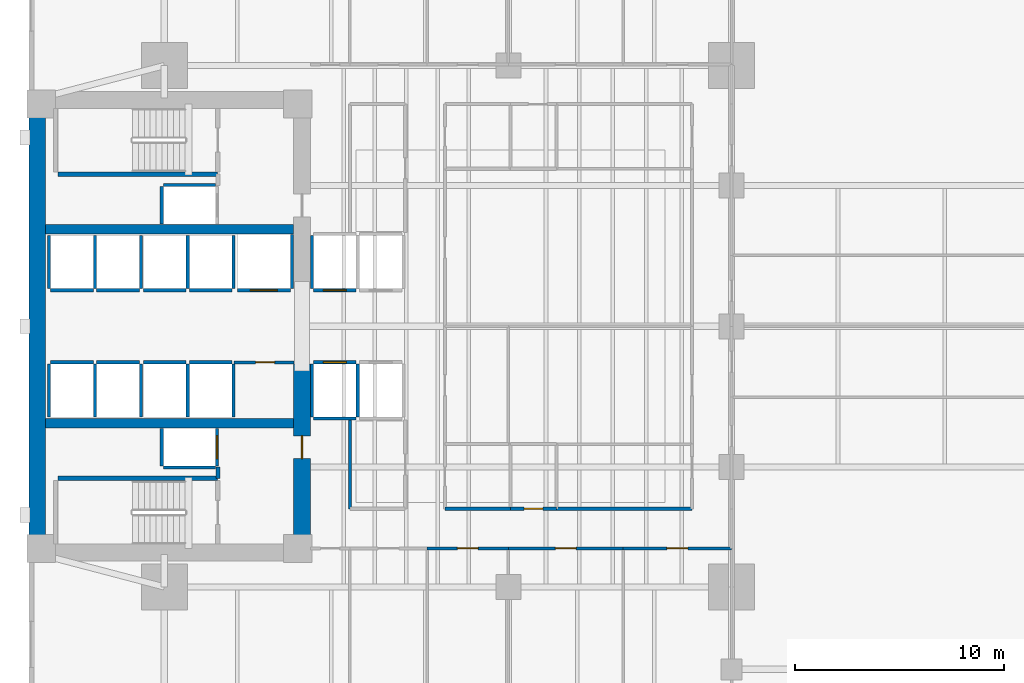
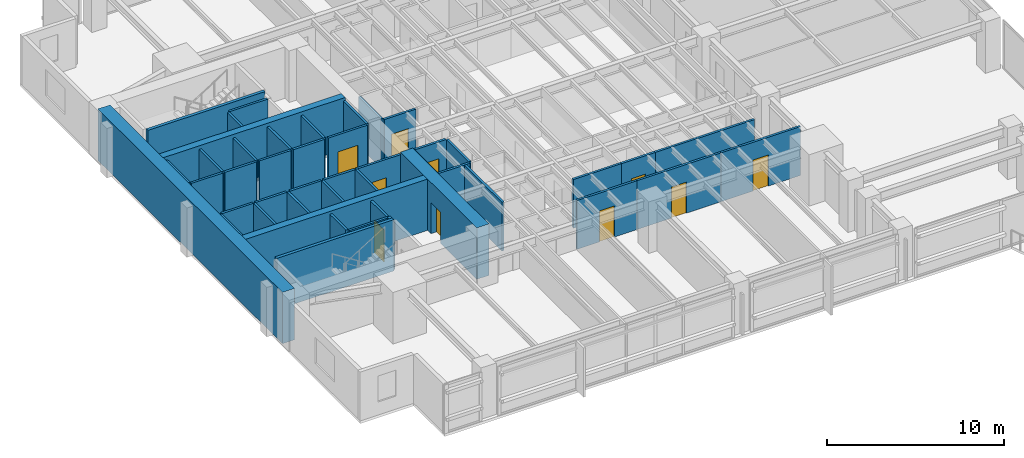
# One storey, part 8 of 15: 46 walls, 10 doors, 10 openings.
"""IFC4 building model written with IfcOpenShell, lengths in metres."""

from ifc_helpers import new_model, si_unit, direction, frame, frame_2d, origin, place, context, subcontext, project, spatial, rectangle, extrude, material, layer, layer_set, type_object, element, fill, save


model = new_model("IFC4")

# Units and contexts
model_context = context("Model", 3, precision=1e-05, world=origin(), true_north=direction((0.0, 1.0)))
body_context = subcontext(model_context, "Body", "Model", "MODEL_VIEW")
ifc_project = project(units=[si_unit("LENGTHUNIT", "METRE"), si_unit("AREAUNIT", "SQUARE_METRE"), si_unit("VOLUMEUNIT", "CUBIC_METRE"), si_unit("PLANEANGLEUNIT", "RADIAN"), si_unit("MASSUNIT", "GRAM", prefix="KILO")], contexts=[model_context])

# Site, building, storey
site_placement = place(None, origin())
site = spatial("IfcSite", under=ifc_project, at=site_placement, CompositionType="ELEMENT")
building_placement = place(site_placement, origin())
building = spatial("IfcBuilding", under=site, at=building_placement, Name="Kinhvarn Gate Tower", CompositionType="ELEMENT")
storey_placement = place(building_placement, frame((0.0, 0.0, 64.64990234375)))
storey = spatial("IfcBuildingStorey", under=building, at=storey_placement, Name="L16", CompositionType="ELEMENT", Elevation=64.64990234375)

# Walls
ifc_material_1 = material(Name="Concrete C50/60", Category="concrete")
ifc_layer_1 = layer(ifc_material_1, 0.449951171875)
ifc_layer_set_1 = layer_set([ifc_layer_1], Name="Concrete C50/60")
wall_type_1 = type_object("IfcWallType", Name="WL-CORE-450", PredefinedType="SHEAR", material=ifc_layer_set_1)
for number, where, z_axis, x_axis, name in (
    (1, (5.300048828125, 20.60009765625, 0.0), (0.0, 0.0, 1.0), (1.0, 0.0, 0.0), "Core South Spine Shear Wall L16 450 mm"),
    (2, (5.300048828125, 29.89990234375, 0.0), (0.0, 0.0, 1.0), (1.0, 0.0, 0.0), "Core North Spine Shear Wall L16 450 mm"),
):
    element("IfcWall", number, at=place(storey_placement, frame(where, z_axis=z_axis, x_axis=x_axis)), inside=storey, type_object=wall_type_1, Name=name, PredefinedType="SHEAR", context=body_context, shape_type="SweptSolid", body=[
        extrude(rectangle(XDim=11.89990234375, YDim=0.449951171875, at=frame_2d((5.949951171875, 0.0))), origin(), (0.0, 0.0, 1.0), 3.550048828125),
    ])

# Wall, opening, door
ifc_material_2 = material(Name="Concrete C70/85", Category="concrete")
ifc_layer_2 = layer(ifc_material_2, 0.800048828125)
ifc_layer_set_2 = layer_set([ifc_layer_2], Name="Concrete C70/85")
wall_type_2 = type_object("IfcWallType", Name="WL-CORE-800", PredefinedType="SHEAR", material=ifc_layer_set_2)
wall_1_placement = place(storey_placement, frame((17.60009765625, 14.800048828125, 0.0), z_axis=(0.0, 0.0, 1.0), x_axis=(0.0, 1.0, 0.0)))
wall_1 = element("IfcWall", 3, at=wall_1_placement, inside=storey, type_object=wall_type_2, Name="Core East-South Shear Pier L16 800 mm", PredefinedType="SHEAR", context=body_context, shape_type="SweptSolid", body=[
    extrude(rectangle(XDim=8.64990234375, YDim=0.800048828125, at=frame_2d((4.324951171875, 0.0))), origin(), (0.0, 0.0, 1.0), 3.550048828125),
])
opening_1_placement = place(wall_1_placement, frame((4.10009765625, 0.0, 0.0)))
opening_1 = element("IfcOpeningElement", 4, at=opening_1_placement, cuts=wall_1, Name="Opening FD-02", PredefinedType="OPENING", context=body_context, shape_type="SweptSolid", body=[
    extrude(rectangle(XDim=1.10009765625, YDim=2.14990234375, at=frame_2d((0.550048828125, 1.074951171875))), frame((0.0, 0.41015625, 0.0), z_axis=(0.0, -1.0, 0.0), x_axis=(1.0, 0.0, 0.0)), (0.0, 0.0, 1.0), 0.820068359375),
])
ifc_material_3 = material(Name="Anodised aluminium AW-6063", Category="aluminium")
door_type_1 = type_object("IfcDoorType", Name="DR-FD-1100", OperationType="NOTDEFINED", PredefinedType="DOOR", material=ifc_material_3)
door_1_placement = place(opening_1_placement, origin())
door_1 = element("IfcDoor", 5, at=door_1_placement, inside=storey, type_object=door_type_1, Name="Firefighting Lobby Core Door (L16)", OperationType="SINGLE_SWING_RIGHT", OverallHeight=2.14990234375, OverallWidth=1.10009765625, PredefinedType="DOOR", context=body_context, shape_type="SweptSolid", body=[
    extrude(rectangle(XDim=1.10009765625, YDim=2.14990234375, at=frame_2d((0.550048828125, 1.074951171875))), frame((0.0, 0.02490234375, 0.0), z_axis=(0.0, -1.0, 0.0), x_axis=(1.0, 0.0, 0.0)), (0.0, 0.0, 1.0), 0.050048828125),
])
fill(opening_1, door_1)

# Walls
ifc_layer_3 = layer(ifc_material_2, 0.800048828125)
ifc_layer_set_3 = layer_set([ifc_layer_3], Name="Concrete C70/85")
wall_type_3 = type_object("IfcWallType", Name="WL-COREX-800", PredefinedType="SHEAR", material=ifc_layer_set_3)
wall_2_placement = place(storey_placement, frame((4.89990234375, 14.800048828125, 0.0), z_axis=(0.0, 0.0, 1.0), x_axis=(0.0, 1.0, 0.0)))
element("IfcWall", 6, at=wall_2_placement, inside=storey, type_object=wall_type_3, Name="Core West Shear Wall L16 800 mm", PredefinedType="SHEAR", context=body_context, shape_type="SweptSolid", body=[
    extrude(rectangle(XDim=20.89990234375, YDim=0.800048828125, at=frame_2d((10.449951171875, 0.0))), origin(), (0.0, 0.0, 1.0), 3.550048828125),
])
ifc_material_4 = material(Name="Gypsum acoustic partition board")
ifc_layer_4 = layer(ifc_material_4, 0.14990234375)
ifc_layer_set_4 = layer_set([ifc_layer_4], Name="Gypsum acoustic partition board")
wall_type_4 = type_object("IfcWallType", Name="WL-PLM-150F", PredefinedType="PLUMBINGWALL", material=ifc_layer_set_4)
wall_3_placement = place(storey_placement, frame((24.449951171875, 16.5, 0.0), z_axis=(0.0, 0.0, 1.0), x_axis=(1.0, 0.0, 0.0)))
element("IfcWall", 7, at=wall_3_placement, inside=storey, type_object=wall_type_4, Name="Interior Partition PLW-150F (L16)", PredefinedType="PLUMBINGWALL", context=body_context, shape_type="SweptSolid", body=[
    extrude(rectangle(XDim=3.150146484375, YDim=0.14990234375, at=frame_2d((1.5751953125, 0.0))), origin(), (0.0, 0.0, 1.0), 3.3701171875),
])

# Wall, opening, door
wall_4_placement = place(storey_placement, frame((27.60009765625, 16.5, 0.0), z_axis=(0.0, 0.0, 1.0), x_axis=(1.0, 0.0, 0.0)))
wall_4 = element("IfcWall", 8, at=wall_4_placement, inside=storey, type_object=wall_type_4, Name="Interior Partition PLW-150F (L16)", PredefinedType="PLUMBINGWALL", context=body_context, shape_type="SweptSolid", body=[
    extrude(rectangle(XDim=2.199951171875, YDim=0.14990234375, at=frame_2d((1.10009765625, 0.0))), origin(), (0.0, 0.0, 1.0), 3.3701171875),
])
opening_2_placement = place(wall_4_placement, frame((0.64990234375, 0.0, 0.0)))
opening_2 = element("IfcOpeningElement", 9, at=opening_2_placement, cuts=wall_4, Name="Opening FD-04", PredefinedType="OPENING", context=body_context, shape_type="SweptSolid", body=[
    extrude(rectangle(XDim=0.89990234375, YDim=2.10009765625, at=frame_2d((0.449951171875, 1.050048828125))), frame((0.0, 0.0849609375, 0.0), z_axis=(0.0, -1.0, 0.0), x_axis=(1.0, 0.0, 0.0)), (0.0, 0.0, 1.0), 0.169921875),
])
door_type_2 = type_object("IfcDoorType", Name="DR-FD-900", OperationType="NOTDEFINED", PredefinedType="DOOR", material=ifc_material_3)
door_2_placement = place(opening_2_placement, origin())
door_2 = element("IfcDoor", 10, at=door_2_placement, inside=storey, type_object=door_type_2, Name="Rated Riser & Service Closet Fire Door 900x2100 mm (L16)", OperationType="SINGLE_SWING_LEFT", OverallHeight=2.10009765625, OverallWidth=0.89990234375, PredefinedType="DOOR", context=body_context, shape_type="SweptSolid", body=[
    extrude(rectangle(XDim=0.89990234375, YDim=2.10009765625, at=frame_2d((0.449951171875, 1.050048828125))), frame((0.0, 0.02490234375, 0.0), z_axis=(0.0, -1.0, 0.0), x_axis=(1.0, 0.0, 0.0)), (0.0, 0.0, 1.0), 0.050048828125),
])
fill(opening_2, door_2)

ifc_layer_5 = layer(ifc_material_4, 0.14990234375)
ifc_layer_set_5 = layer_set([ifc_layer_5], Name="Gypsum acoustic partition board")
wall_type_5 = type_object("IfcWallType", Name="WL-PRT-150F", PredefinedType="PARTITIONING", material=ifc_layer_set_5)
wall_5_placement = place(storey_placement, frame((14.330078125, 23.52001953125, 0.0), z_axis=(0.0, 0.0, 1.0), x_axis=(1.0, 0.0, 0.0)))
wall_5 = element("IfcWall", 11, at=wall_5_placement, inside=storey, type_object=wall_type_5, Name="Interior Partition PW-150F (L16)", PredefinedType="PARTITIONING", context=body_context, shape_type="SweptSolid", body=[
    extrude(rectangle(XDim=2.889892578125, YDim=0.14990234375, at=frame_2d((1.44482421875, 0.0))), origin(), (0.0, 0.0, 1.0), 3.3701171875),
])
opening_3_placement = place(wall_5_placement, frame((1.052734375, 0.0, 0.0)))
opening_3 = element("IfcOpeningElement", 12, at=opening_3_placement, cuts=wall_5, Name="Opening FD-04", PredefinedType="OPENING", context=body_context, shape_type="SweptSolid", body=[
    extrude(rectangle(XDim=0.89990234375, YDim=2.10009765625, at=frame_2d((0.449951171875, 1.050048828125))), frame((0.0, 0.0849609375, 0.0), z_axis=(0.0, -1.0, 0.0), x_axis=(1.0, 0.0, 0.0)), (0.0, 0.0, 1.0), 0.169921875),
])
door_3_placement = place(opening_3_placement, origin())
door_3 = element("IfcDoor", 13, at=door_3_placement, inside=storey, type_object=door_type_2, Name="Rated Riser & Service Closet Fire Door 900x2100 mm (L16)", OperationType="SINGLE_SWING_RIGHT", OverallHeight=2.10009765625, OverallWidth=0.89990234375, PredefinedType="DOOR", context=body_context, shape_type="SweptSolid", body=[
    extrude(rectangle(XDim=0.89990234375, YDim=2.10009765625, at=frame_2d((0.449951171875, 1.050048828125))), frame((0.0, 0.02490234375, 0.0), z_axis=(0.0, -1.0, 0.0), x_axis=(1.0, 0.0, 0.0)), (0.0, 0.0, 1.0), 0.050048828125),
])
fill(opening_3, door_3)

# Walls
wall_6_placement = place(storey_placement, frame((19.89990234375, 16.5, 0.0), z_axis=(0.0, 0.0, 1.0), x_axis=(0.0, 1.0, 0.0)))
element("IfcWall", 14, at=wall_6_placement, inside=storey, type_object=wall_type_5, Name="Interior Partition PW-150F (L16)", PredefinedType="PARTITIONING", context=body_context, shape_type="SweptSolid", body=[
    extrude(rectangle(XDim=4.25, YDim=0.14990234375, at=frame_2d((2.125, 0.0))), origin(), (0.0, 0.0, 1.0), 3.3701171875),
])
wall_7_placement = place(storey_placement, frame((29.800048828125, 16.5, 0.0), z_axis=(0.0, 0.0, 1.0), x_axis=(1.0, 0.0, 0.0)))
element("IfcWall", 15, at=wall_7_placement, inside=storey, type_object=wall_type_5, Name="Interior Partition PW-150F (L16)", PredefinedType="PARTITIONING", context=body_context, shape_type="SweptSolid", body=[
    extrude(rectangle(XDim=6.5, YDim=0.14990234375, at=frame_2d((3.25, 0.0))), origin(), (0.0, 0.0, 1.0), 3.3701171875),
])

# Wall, opening, door
wall_8_placement = place(storey_placement, frame((23.60009765625, 14.60009765625, 0.0), z_axis=(0.0, 0.0, 1.0), x_axis=(1.0, 0.0, 0.0)))
wall_8 = element("IfcWall", 16, at=wall_8_placement, inside=storey, type_object=wall_type_5, Name="Interior Partition PW-150F (L16)", PredefinedType="PARTITIONING", context=body_context, shape_type="SweptSolid", body=[
    extrude(rectangle(XDim=3.89990234375, YDim=0.14990234375, at=frame_2d((1.949951171875, 0.0))), origin(), (0.0, 0.0, 1.0), 3.3701171875),
])
opening_4_placement = place(wall_8_placement, frame((1.449951171875, 0.0, 0.0)))
opening_4 = element("IfcOpeningElement", 17, at=opening_4_placement, cuts=wall_8, Name="Opening ID-02", PredefinedType="OPENING", context=body_context, shape_type="SweptSolid", body=[
    extrude(rectangle(XDim=1.0, YDim=2.14990234375, at=frame_2d((0.5, 1.074951171875))), frame((0.0, 0.0849609375, 0.0), z_axis=(0.0, -1.0, 0.0), x_axis=(1.0, 0.0, 0.0)), (0.0, 0.0, 1.0), 0.169921875),
])
door_type_3 = type_object("IfcDoorType", Name="DR-INT-1000", OperationType="NOTDEFINED", PredefinedType="DOOR", material=ifc_material_3)
door_4_placement = place(opening_4_placement, origin())
door_4 = element("IfcDoor", 18, at=door_4_placement, inside=storey, type_object=door_type_3, Name="Standard Office & Meeting Room Door 1000x2150 mm (L16)", OperationType="SINGLE_SWING_RIGHT", OverallHeight=2.14990234375, OverallWidth=1.0, PredefinedType="DOOR", context=body_context, shape_type="SweptSolid", body=[
    extrude(rectangle(XDim=1.0, YDim=2.14990234375, at=frame_2d((0.5, 1.074951171875))), frame((0.0, 0.02490234375, 0.0), z_axis=(0.0, -1.0, 0.0), x_axis=(1.0, 0.0, 0.0)), (0.0, 0.0, 1.0), 0.050048828125),
])
fill(opening_4, door_4)

wall_9_placement = place(storey_placement, frame((27.5, 14.60009765625, 0.0), z_axis=(0.0, 0.0, 1.0), x_axis=(1.0, 0.0, 0.0)))
wall_9 = element("IfcWall", 19, at=wall_9_placement, inside=storey, type_object=wall_type_5, Name="Interior Partition PW-150F (L16)", PredefinedType="PARTITIONING", context=body_context, shape_type="SweptSolid", body=[
    extrude(rectangle(XDim=5.5, YDim=0.14990234375, at=frame_2d((2.75, 0.0))), origin(), (0.0, 0.0, 1.0), 3.3701171875),
])
opening_5_placement = place(wall_9_placement, frame((2.25, 0.0, 0.0)))
opening_5 = element("IfcOpeningElement", 20, at=opening_5_placement, cuts=wall_9, Name="Opening ID-02", PredefinedType="OPENING", context=body_context, shape_type="SweptSolid", body=[
    extrude(rectangle(XDim=1.0, YDim=2.14990234375, at=frame_2d((0.5, 1.074951171875))), frame((0.0, 0.0849609375, 0.0), z_axis=(0.0, -1.0, 0.0), x_axis=(1.0, 0.0, 0.0)), (0.0, 0.0, 1.0), 0.169921875),
])
door_5_placement = place(opening_5_placement, origin())
door_5 = element("IfcDoor", 21, at=door_5_placement, inside=storey, type_object=door_type_3, Name="Standard Office & Meeting Room Door 1000x2150 mm (L16)", OperationType="SINGLE_SWING_LEFT", OverallHeight=2.14990234375, OverallWidth=1.0, PredefinedType="DOOR", context=body_context, shape_type="SweptSolid", body=[
    extrude(rectangle(XDim=1.0, YDim=2.14990234375, at=frame_2d((0.5, 1.074951171875))), frame((0.0, 0.02490234375, 0.0), z_axis=(0.0, -1.0, 0.0), x_axis=(1.0, 0.0, 0.0)), (0.0, 0.0, 1.0), 0.050048828125),
])
fill(opening_5, door_5)

wall_10_placement = place(storey_placement, frame((33.0, 14.60009765625, 0.0), z_axis=(0.0, 0.0, 1.0), x_axis=(1.0, 0.0, 0.0)))
wall_10 = element("IfcWall", 22, at=wall_10_placement, inside=storey, type_object=wall_type_5, Name="Interior Partition PW-150F (L16)", PredefinedType="PARTITIONING", context=body_context, shape_type="SweptSolid", body=[
    extrude(rectangle(XDim=5.199951171875, YDim=0.14990234375, at=frame_2d((2.60009765625, 0.0))), origin(), (0.0, 0.0, 1.0), 3.3701171875),
])
opening_6_placement = place(wall_10_placement, frame((2.10009765625, 0.0, 0.0)))
opening_6 = element("IfcOpeningElement", 23, at=opening_6_placement, cuts=wall_10, Name="Opening ID-02", PredefinedType="OPENING", context=body_context, shape_type="SweptSolid", body=[
    extrude(rectangle(XDim=1.0, YDim=2.14990234375, at=frame_2d((0.5, 1.074951171875))), frame((0.0, 0.0849609375, 0.0), z_axis=(0.0, -1.0, 0.0), x_axis=(1.0, 0.0, 0.0)), (0.0, 0.0, 1.0), 0.169921875),
])
door_6_placement = place(opening_6_placement, origin())
door_6 = element("IfcDoor", 24, at=door_6_placement, inside=storey, type_object=door_type_3, Name="Standard Office & Meeting Room Door 1000x2150 mm (L16)", OperationType="SINGLE_SWING_RIGHT", OverallHeight=2.14990234375, OverallWidth=1.0, PredefinedType="DOOR", context=body_context, shape_type="SweptSolid", body=[
    extrude(rectangle(XDim=1.0, YDim=2.14990234375, at=frame_2d((0.5, 1.074951171875))), frame((0.0, 0.02490234375, 0.0), z_axis=(0.0, -1.0, 0.0), x_axis=(1.0, 0.0, 0.0)), (0.0, 0.0, 1.0), 0.050048828125),
])
fill(opening_6, door_6)

# Walls
ifc_layer_6 = layer(ifc_material_4, 0.199951171875)
ifc_layer_set_6 = layer_set([ifc_layer_6], Name="Gypsum acoustic partition board")
wall_type_6 = type_object("IfcWallType", Name="WL-PRT-200", PredefinedType="PARTITIONING", material=ifc_layer_set_6)
wall_11_placement = place(storey_placement, frame((13.580078125, 17.9599609375, 0.0), z_axis=(0.0, 0.0, 1.0), x_axis=(0.0, 1.0, 0.0)))
element("IfcWall", 25, at=wall_11_placement, inside=storey, type_object=wall_type_6, Name="Interior Partition PW-200 (L16)", PredefinedType="PARTITIONING", context=body_context, shape_type="SweptSolid", body=[
    extrude(rectangle(XDim=0.5400390625, YDim=0.199951171875, at=frame_2d((0.27001953125, 0.0))), origin(), (0.0, 0.0, 1.0), 3.3701171875),
])
ifc_layer_7 = layer(ifc_material_4, 0.14990234375)
ifc_layer_set_7 = layer_set([ifc_layer_7], Name="Gypsum acoustic partition board")
wall_type_7 = type_object("IfcWallType", Name="WL-SHF-150", PredefinedType="PARTITIONING", material=ifc_layer_set_7)
wall_12_placement = place(storey_placement, frame((18.14990234375, 20.824951171875, 0.0), z_axis=(0.0, 0.0, 1.0), x_axis=(1.0, 0.0, 0.0)))
element("IfcWall", 26, at=wall_12_placement, inside=storey, type_object=wall_type_7, Name="Elevator PL-01 Hoistway Wall S (L16)", PredefinedType="PARTITIONING", context=body_context, shape_type="SweptSolid", body=[
    extrude(rectangle(XDim=2.050048828125, YDim=0.14990234375, at=frame_2d((1.02490234375, 0.0))), origin(), (0.0, 0.0, 1.0), 3.3701171875),
])

# Wall, opening, door
wall_13_placement = place(storey_placement, frame((18.14990234375, 23.52490234375, 0.0), z_axis=(0.0, 0.0, 1.0), x_axis=(1.0, 0.0, 0.0)))
wall_13 = element("IfcWall", 27, at=wall_13_placement, inside=storey, type_object=wall_type_7, Name="Elevator PL-01 Landing Wall (L16)", PredefinedType="PARTITIONING", context=body_context, shape_type="SweptSolid", body=[
    extrude(rectangle(XDim=2.050048828125, YDim=0.14990234375, at=frame_2d((1.02490234375, 0.0))), origin(), (0.0, 0.0, 1.0), 3.3701171875),
])
opening_7_placement = place(wall_13_placement, frame((0.47509765625, 0.0, 0.0)))
opening_7 = element("IfcOpeningElement", 28, at=opening_7_placement, cuts=wall_13, Name="Opening LD-01", PredefinedType="OPENING", context=body_context, shape_type="SweptSolid", body=[
    extrude(rectangle(XDim=1.10009765625, YDim=2.199951171875, at=frame_2d((0.550048828125, 1.10009765625))), frame((0.0, 0.0849609375, 0.0), z_axis=(0.0, -1.0, 0.0), x_axis=(1.0, 0.0, 0.0)), (0.0, 0.0, 1.0), 0.169921875),
])
door_type_4 = type_object("IfcDoorType", Name="DR-LND-PAS", OperationType="NOTDEFINED", PredefinedType="DOOR", material=ifc_material_3)
door_7_placement = place(opening_7_placement, origin())
door_7 = element("IfcDoor", 29, at=door_7_placement, inside=storey, type_object=door_type_4, Name="Elevator PL-01 Sliding Landing Door (L16)", OperationType="DOUBLE_DOOR_SLIDING", OverallHeight=2.199951171875, OverallWidth=1.10009765625, PredefinedType="DOOR", context=body_context, shape_type="SweptSolid", body=[
    extrude(rectangle(XDim=1.10009765625, YDim=2.199951171875, at=frame_2d((0.550048828125, 1.10009765625))), frame((0.0, 0.02490234375, 0.0), z_axis=(0.0, -1.0, 0.0), x_axis=(1.0, 0.0, 0.0)), (0.0, 0.0, 1.0), 0.050048828125),
])
fill(opening_7, door_7)

# Walls
for number, where, z_axis, x_axis, name in (
    (30, (18.074951171875, 20.89990234375, 0.0), (0.0, 0.0, 1.0), (0.0, 1.0, 0.0), "Elevator PL-01 Hoistway Wall W (L16)"),
    (31, (20.27490234375, 20.89990234375, 0.0), (0.0, 0.0, 1.0), (0.0, 1.0, 0.0), "Elevator PL-01 Hoistway Wall E (L16)"),
):
    element("IfcWall", number, at=place(storey_placement, frame(where, z_axis=z_axis, x_axis=x_axis)), inside=storey, type_object=wall_type_7, Name=name, PredefinedType="PARTITIONING", context=body_context, shape_type="SweptSolid", body=[
        extrude(rectangle(XDim=2.550048828125, YDim=0.14990234375, at=frame_2d((1.27490234375, 0.0))), origin(), (0.0, 0.0, 1.0), 3.3701171875),
    ])

# Wall, opening, door
wall_14_placement = place(storey_placement, frame((18.14990234375, 26.97509765625, 0.0), z_axis=(0.0, 0.0, 1.0), x_axis=(1.0, 0.0, 0.0)))
wall_14 = element("IfcWall", 32, at=wall_14_placement, inside=storey, type_object=wall_type_7, Name="Elevator PL-03 Landing Wall (L16)", PredefinedType="PARTITIONING", context=body_context, shape_type="SweptSolid", body=[
    extrude(rectangle(XDim=2.050048828125, YDim=0.14990234375, at=frame_2d((1.02490234375, 0.0))), origin(), (0.0, 0.0, 1.0), 3.3701171875),
])
opening_8_placement = place(wall_14_placement, frame((0.47509765625, 0.0, 0.0)))
opening_8 = element("IfcOpeningElement", 33, at=opening_8_placement, cuts=wall_14, Name="Opening LD-01", PredefinedType="OPENING", context=body_context, shape_type="SweptSolid", body=[
    extrude(rectangle(XDim=1.10009765625, YDim=2.199951171875, at=frame_2d((0.550048828125, 1.10009765625))), frame((0.0, 0.0849609375, 0.0), z_axis=(0.0, -1.0, 0.0), x_axis=(1.0, 0.0, 0.0)), (0.0, 0.0, 1.0), 0.169921875),
])
door_8_placement = place(opening_8_placement, origin())
door_8 = element("IfcDoor", 34, at=door_8_placement, inside=storey, type_object=door_type_4, Name="Elevator PL-03 Sliding Landing Door (L16)", OperationType="DOUBLE_DOOR_SLIDING", OverallHeight=2.199951171875, OverallWidth=1.10009765625, PredefinedType="DOOR", context=body_context, shape_type="SweptSolid", body=[
    extrude(rectangle(XDim=1.10009765625, YDim=2.199951171875, at=frame_2d((0.550048828125, 1.10009765625))), frame((0.0, 0.02490234375, 0.0), z_axis=(0.0, -1.0, 0.0), x_axis=(1.0, 0.0, 0.0)), (0.0, 0.0, 1.0), 0.050048828125),
])
fill(opening_8, door_8)

# Walls
wall_15_placement = place(storey_placement, frame((18.074951171875, 27.050048828125, 0.0), z_axis=(0.0, 0.0, 1.0), x_axis=(0.0, 1.0, 0.0)))
element("IfcWall", 35, at=wall_15_placement, inside=storey, type_object=wall_type_7, Name="Elevator PL-03 Hoistway Wall W (L16)", PredefinedType="PARTITIONING", context=body_context, shape_type="SweptSolid", body=[
    extrude(rectangle(XDim=2.550048828125, YDim=0.14990234375, at=frame_2d((1.27490234375, 0.0))), origin(), (0.0, 0.0, 1.0), 3.3701171875),
])
wall_16_placement = place(storey_placement, frame((5.550048828125, 23.52490234375, 0.0), z_axis=(0.0, 0.0, 1.0), x_axis=(1.0, 0.0, 0.0)))
element("IfcWall", 36, at=wall_16_placement, inside=storey, type_object=wall_type_7, Name="Elevator PM-05 Landing Wall (L16)", PredefinedType="PARTITIONING", context=body_context, shape_type="SweptSolid", body=[
    extrude(rectangle(XDim=2.050048828125, YDim=0.14990234375, at=frame_2d((1.02490234375, 0.0))), origin(), (0.0, 0.0, 1.0), 3.3701171875),
])
for number, where, z_axis, x_axis, name in (
    (37, (5.47509765625, 20.89990234375, 0.0), (0.0, 0.0, 1.0), (0.0, 1.0, 0.0), "Elevator PM-05 Hoistway Wall W (L16)"),
    (38, (7.675048828125, 20.89990234375, 0.0), (0.0, 0.0, 1.0), (0.0, 1.0, 0.0), "Elevator PM-05 Hoistway Wall E (L16)"),
):
    element("IfcWall", number, at=place(storey_placement, frame(where, z_axis=z_axis, x_axis=x_axis)), inside=storey, type_object=wall_type_7, Name=name, PredefinedType="PARTITIONING", context=body_context, shape_type="SweptSolid", body=[
        extrude(rectangle(XDim=2.550048828125, YDim=0.14990234375, at=frame_2d((1.27490234375, 0.0))), origin(), (0.0, 0.0, 1.0), 3.3701171875),
    ])
wall_17_placement = place(storey_placement, frame((7.75, 23.52490234375, 0.0), z_axis=(0.0, 0.0, 1.0), x_axis=(1.0, 0.0, 0.0)))
element("IfcWall", 39, at=wall_17_placement, inside=storey, type_object=wall_type_7, Name="Elevator PM-06 Landing Wall (L16)", PredefinedType="PARTITIONING", context=body_context, shape_type="SweptSolid", body=[
    extrude(rectangle(XDim=2.050048828125, YDim=0.14990234375, at=frame_2d((1.02490234375, 0.0))), origin(), (0.0, 0.0, 1.0), 3.3701171875),
])
wall_18_placement = place(storey_placement, frame((9.875, 20.89990234375, 0.0), z_axis=(0.0, 0.0, 1.0), x_axis=(0.0, 1.0, 0.0)))
element("IfcWall", 40, at=wall_18_placement, inside=storey, type_object=wall_type_7, Name="Elevator PM-06 Hoistway Wall E (L16)", PredefinedType="PARTITIONING", context=body_context, shape_type="SweptSolid", body=[
    extrude(rectangle(XDim=2.550048828125, YDim=0.14990234375, at=frame_2d((1.27490234375, 0.0))), origin(), (0.0, 0.0, 1.0), 3.3701171875),
])
wall_19_placement = place(storey_placement, frame((5.550048828125, 26.97509765625, 0.0), z_axis=(0.0, 0.0, 1.0), x_axis=(1.0, 0.0, 0.0)))
element("IfcWall", 41, at=wall_19_placement, inside=storey, type_object=wall_type_7, Name="Elevator PM-07 Landing Wall (L16)", PredefinedType="PARTITIONING", context=body_context, shape_type="SweptSolid", body=[
    extrude(rectangle(XDim=2.050048828125, YDim=0.14990234375, at=frame_2d((1.02490234375, 0.0))), origin(), (0.0, 0.0, 1.0), 3.3701171875),
])
for number, where, z_axis, x_axis, name in (
    (42, (5.47509765625, 27.050048828125, 0.0), (0.0, 0.0, 1.0), (0.0, 1.0, 0.0), "Elevator PM-07 Hoistway Wall W (L16)"),
    (43, (7.675048828125, 27.050048828125, 0.0), (0.0, 0.0, 1.0), (0.0, 1.0, 0.0), "Elevator PM-07 Hoistway Wall E (L16)"),
):
    element("IfcWall", number, at=place(storey_placement, frame(where, z_axis=z_axis, x_axis=x_axis)), inside=storey, type_object=wall_type_7, Name=name, PredefinedType="PARTITIONING", context=body_context, shape_type="SweptSolid", body=[
        extrude(rectangle(XDim=2.550048828125, YDim=0.14990234375, at=frame_2d((1.27490234375, 0.0))), origin(), (0.0, 0.0, 1.0), 3.3701171875),
    ])
wall_20_placement = place(storey_placement, frame((7.75, 26.97509765625, 0.0), z_axis=(0.0, 0.0, 1.0), x_axis=(1.0, 0.0, 0.0)))
element("IfcWall", 44, at=wall_20_placement, inside=storey, type_object=wall_type_7, Name="Elevator PM-08 Landing Wall (L16)", PredefinedType="PARTITIONING", context=body_context, shape_type="SweptSolid", body=[
    extrude(rectangle(XDim=2.050048828125, YDim=0.14990234375, at=frame_2d((1.02490234375, 0.0))), origin(), (0.0, 0.0, 1.0), 3.3701171875),
])
wall_21_placement = place(storey_placement, frame((9.875, 27.050048828125, 0.0), z_axis=(0.0, 0.0, 1.0), x_axis=(0.0, 1.0, 0.0)))
element("IfcWall", 45, at=wall_21_placement, inside=storey, type_object=wall_type_7, Name="Elevator PM-08 Hoistway Wall E (L16)", PredefinedType="PARTITIONING", context=body_context, shape_type="SweptSolid", body=[
    extrude(rectangle(XDim=2.550048828125, YDim=0.14990234375, at=frame_2d((1.27490234375, 0.0))), origin(), (0.0, 0.0, 1.0), 3.3701171875),
])
wall_22_placement = place(storey_placement, frame((10.0, 23.52490234375, 0.0), z_axis=(0.0, 0.0, 1.0), x_axis=(1.0, 0.0, 0.0)))
element("IfcWall", 46, at=wall_22_placement, inside=storey, type_object=wall_type_7, Name="Elevator PH-09 Landing Wall (L16)", PredefinedType="PARTITIONING", context=body_context, shape_type="SweptSolid", body=[
    extrude(rectangle(XDim=2.050048828125, YDim=0.14990234375, at=frame_2d((1.02490234375, 0.0))), origin(), (0.0, 0.0, 1.0), 3.3701171875),
])
wall_23_placement = place(storey_placement, frame((12.125, 20.89990234375, 0.0), z_axis=(0.0, 0.0, 1.0), x_axis=(0.0, 1.0, 0.0)))
element("IfcWall", 47, at=wall_23_placement, inside=storey, type_object=wall_type_7, Name="Elevator PH-09 Hoistway Wall E (L16)", PredefinedType="PARTITIONING", context=body_context, shape_type="SweptSolid", body=[
    extrude(rectangle(XDim=2.550048828125, YDim=0.14990234375, at=frame_2d((1.27490234375, 0.0))), origin(), (0.0, 0.0, 1.0), 3.3701171875),
])
wall_24_placement = place(storey_placement, frame((12.199951171875, 23.52490234375, 0.0), z_axis=(0.0, 0.0, 1.0), x_axis=(1.0, 0.0, 0.0)))
element("IfcWall", 48, at=wall_24_placement, inside=storey, type_object=wall_type_7, Name="Elevator PH-10 Landing Wall (L16)", PredefinedType="PARTITIONING", context=body_context, shape_type="SweptSolid", body=[
    extrude(rectangle(XDim=2.050048828125, YDim=0.14990234375, at=frame_2d((1.02490234375, 0.0))), origin(), (0.0, 0.0, 1.0), 3.3701171875),
])
wall_25_placement = place(storey_placement, frame((14.324951171875, 20.89990234375, 0.0), z_axis=(0.0, 0.0, 1.0), x_axis=(0.0, 1.0, 0.0)))
element("IfcWall", 49, at=wall_25_placement, inside=storey, type_object=wall_type_7, Name="Elevator PH-10 Hoistway Wall E (L16)", PredefinedType="PARTITIONING", context=body_context, shape_type="SweptSolid", body=[
    extrude(rectangle(XDim=2.550048828125, YDim=0.14990234375, at=frame_2d((1.27490234375, 0.0))), origin(), (0.0, 0.0, 1.0), 3.3701171875),
])
wall_26_placement = place(storey_placement, frame((10.0, 26.97509765625, 0.0), z_axis=(0.0, 0.0, 1.0), x_axis=(1.0, 0.0, 0.0)))
element("IfcWall", 50, at=wall_26_placement, inside=storey, type_object=wall_type_7, Name="Elevator PH-11 Landing Wall (L16)", PredefinedType="PARTITIONING", context=body_context, shape_type="SweptSolid", body=[
    extrude(rectangle(XDim=2.050048828125, YDim=0.14990234375, at=frame_2d((1.02490234375, 0.0))), origin(), (0.0, 0.0, 1.0), 3.3701171875),
])
wall_27_placement = place(storey_placement, frame((12.125, 27.050048828125, 0.0), z_axis=(0.0, 0.0, 1.0), x_axis=(0.0, 1.0, 0.0)))
element("IfcWall", 51, at=wall_27_placement, inside=storey, type_object=wall_type_7, Name="Elevator PH-11 Hoistway Wall E (L16)", PredefinedType="PARTITIONING", context=body_context, shape_type="SweptSolid", body=[
    extrude(rectangle(XDim=2.550048828125, YDim=0.14990234375, at=frame_2d((1.27490234375, 0.0))), origin(), (0.0, 0.0, 1.0), 3.3701171875),
])
wall_28_placement = place(storey_placement, frame((12.199951171875, 26.97509765625, 0.0), z_axis=(0.0, 0.0, 1.0), x_axis=(1.0, 0.0, 0.0)))
element("IfcWall", 52, at=wall_28_placement, inside=storey, type_object=wall_type_7, Name="Elevator PH-12 Landing Wall (L16)", PredefinedType="PARTITIONING", context=body_context, shape_type="SweptSolid", body=[
    extrude(rectangle(XDim=2.050048828125, YDim=0.14990234375, at=frame_2d((1.02490234375, 0.0))), origin(), (0.0, 0.0, 1.0), 3.3701171875),
])
wall_29_placement = place(storey_placement, frame((14.324951171875, 27.050048828125, 0.0), z_axis=(0.0, 0.0, 1.0), x_axis=(0.0, 1.0, 0.0)))
element("IfcWall", 53, at=wall_29_placement, inside=storey, type_object=wall_type_7, Name="Elevator PH-12 Hoistway Wall E (L16)", PredefinedType="PARTITIONING", context=body_context, shape_type="SweptSolid", body=[
    extrude(rectangle(XDim=2.550048828125, YDim=0.14990234375, at=frame_2d((1.27490234375, 0.0))), origin(), (0.0, 0.0, 1.0), 3.3701171875),
])

# Wall, opening, door
wall_30_placement = place(storey_placement, frame((14.5, 26.97509765625, 0.0), z_axis=(0.0, 0.0, 1.0), x_axis=(1.0, 0.0, 0.0)))
wall_30 = element("IfcWall", 54, at=wall_30_placement, inside=storey, type_object=wall_type_7, Name="Elevator SV-01 Landing Wall (L16)", PredefinedType="PARTITIONING", context=body_context, shape_type="SweptSolid", body=[
    extrude(rectangle(XDim=2.550048828125, YDim=0.14990234375, at=frame_2d((1.27490234375, 0.0))), origin(), (0.0, 0.0, 1.0), 3.3701171875),
])
opening_9_placement = place(wall_30_placement, frame((0.625, 0.0, 0.0)))
opening_9 = element("IfcOpeningElement", 55, at=opening_9_placement, cuts=wall_30, Name="Opening LD-02", PredefinedType="OPENING", context=body_context, shape_type="SweptSolid", body=[
    extrude(rectangle(XDim=1.300048828125, YDim=2.199951171875, at=frame_2d((0.64990234375, 1.10009765625))), frame((0.0, 0.0849609375, 0.0), z_axis=(0.0, -1.0, 0.0), x_axis=(1.0, 0.0, 0.0)), (0.0, 0.0, 1.0), 0.169921875),
])
door_type_5 = type_object("IfcDoorType", Name="DR-LND-SRV", OperationType="NOTDEFINED", PredefinedType="DOOR", material=ifc_material_3)
door_9_placement = place(opening_9_placement, origin())
door_9 = element("IfcDoor", 56, at=door_9_placement, inside=storey, type_object=door_type_5, Name="Elevator SV-01 Sliding Landing Door (L16)", OperationType="DOUBLE_DOOR_SLIDING", OverallHeight=2.199951171875, OverallWidth=1.300048828125, PredefinedType="DOOR", context=body_context, shape_type="SweptSolid", body=[
    extrude(rectangle(XDim=1.300048828125, YDim=2.199951171875, at=frame_2d((0.64990234375, 1.10009765625))), frame((0.0, 0.02490234375, 0.0), z_axis=(0.0, -1.0, 0.0), x_axis=(1.0, 0.0, 0.0)), (0.0, 0.0, 1.0), 0.050048828125),
])
fill(opening_9, door_9)

# Walls
wall_31_placement = place(storey_placement, frame((17.125, 27.050048828125, 0.0), z_axis=(0.0, 0.0, 1.0), x_axis=(0.0, 1.0, 0.0)))
element("IfcWall", 57, at=wall_31_placement, inside=storey, type_object=wall_type_7, Name="Elevator SV-01 Hoistway Wall E (L16)", PredefinedType="PARTITIONING", context=body_context, shape_type="SweptSolid", body=[
    extrude(rectangle(XDim=2.599853515625, YDim=0.14990234375, at=frame_2d((1.2998046875, 0.0))), origin(), (0.0, 0.0, 1.0), 3.3701171875),
])
wall_32_placement = place(storey_placement, frame((10.949951171875, 18.47509765625, 0.0), z_axis=(0.0, 0.0, 1.0), x_axis=(1.0, 0.0, 0.0)))
element("IfcWall", 58, at=wall_32_placement, inside=storey, type_object=wall_type_7, Name="Elevator FF1 Hoistway Wall S (L16)", PredefinedType="PARTITIONING", context=body_context, shape_type="SweptSolid", body=[
    extrude(rectangle(XDim=2.5, YDim=0.14990234375, at=frame_2d((1.25, 0.0))), origin(), (0.0, 0.0, 1.0), 3.3701171875),
])
wall_33_placement = place(storey_placement, frame((10.875, 18.550048828125, 0.0), z_axis=(0.0, 0.0, 1.0), x_axis=(0.0, 1.0, 0.0)))
element("IfcWall", 59, at=wall_33_placement, inside=storey, type_object=wall_type_7, Name="Elevator FF1 Hoistway Wall W (L16)", PredefinedType="PARTITIONING", context=body_context, shape_type="SweptSolid", body=[
    extrude(rectangle(XDim=1.800048828125, YDim=0.14990234375, at=frame_2d((0.89990234375, 0.0))), origin(), (0.0, 0.0, 1.0), 3.3701171875),
])

# Wall, opening, door
wall_34_placement = place(storey_placement, frame((13.52490234375, 18.550048828125, 0.0), z_axis=(0.0, 0.0, 1.0), x_axis=(0.0, 1.0, 0.0)))
wall_34 = element("IfcWall", 60, at=wall_34_placement, inside=storey, type_object=wall_type_7, Name="Elevator FF1 Landing Wall (L16)", PredefinedType="PARTITIONING", context=body_context, shape_type="SweptSolid", body=[
    extrude(rectangle(XDim=1.800048828125, YDim=0.14990234375, at=frame_2d((0.89990234375, 0.0))), origin(), (0.0, 0.0, 1.0), 3.3701171875),
])
opening_10_placement = place(wall_34_placement, frame((0.35009765625, 0.0, 0.0)))
opening_10 = element("IfcOpeningElement", 61, at=opening_10_placement, cuts=wall_34, Name="Opening LD-03", PredefinedType="OPENING", context=body_context, shape_type="SweptSolid", body=[
    extrude(rectangle(XDim=1.10009765625, YDim=2.199951171875, at=frame_2d((0.550048828125, 1.10009765625))), frame((0.0, 0.0849609375, 0.0), z_axis=(0.0, -1.0, 0.0), x_axis=(1.0, 0.0, 0.0)), (0.0, 0.0, 1.0), 0.169921875),
])
door_type_6 = type_object("IfcDoorType", Name="DR-LND-FF", OperationType="NOTDEFINED", PredefinedType="DOOR", material=ifc_material_3)
door_10_placement = place(opening_10_placement, origin())
door_10 = element("IfcDoor", 62, at=door_10_placement, inside=storey, type_object=door_type_6, Name="Elevator FF1 Sliding Landing Door (L16)", OperationType="DOUBLE_DOOR_SLIDING", OverallHeight=2.199951171875, OverallWidth=1.10009765625, PredefinedType="DOOR", context=body_context, shape_type="SweptSolid", body=[
    extrude(rectangle(XDim=1.10009765625, YDim=2.199951171875, at=frame_2d((0.550048828125, 1.10009765625))), frame((0.0, 0.02490234375, 0.0), z_axis=(0.0, -1.0, 0.0), x_axis=(1.0, 0.0, 0.0)), (0.0, 0.0, 1.0), 0.050048828125),
])
fill(opening_10, door_10)

# Walls
wall_35_placement = place(storey_placement, frame((10.949951171875, 32.02490234375, 0.0), z_axis=(0.0, 0.0, 1.0), x_axis=(1.0, 0.0, 0.0)))
element("IfcWall", 63, at=wall_35_placement, inside=storey, type_object=wall_type_7, Name="Elevator FF2 Hoistway Wall N (L16)", PredefinedType="PARTITIONING", context=body_context, shape_type="SweptSolid", body=[
    extrude(rectangle(XDim=2.5, YDim=0.14990234375, at=frame_2d((1.25, 0.0))), origin(), (0.0, 0.0, 1.0), 3.3701171875),
])
wall_36_placement = place(storey_placement, frame((10.875, 30.14990234375, 0.0), z_axis=(0.0, 0.0, 1.0), x_axis=(0.0, 1.0, 0.0)))
element("IfcWall", 64, at=wall_36_placement, inside=storey, type_object=wall_type_7, Name="Elevator FF2 Hoistway Wall W (L16)", PredefinedType="PARTITIONING", context=body_context, shape_type="SweptSolid", body=[
    extrude(rectangle(XDim=1.800048828125, YDim=0.14990234375, at=frame_2d((0.89990234375, 0.0))), origin(), (0.0, 0.0, 1.0), 3.3701171875),
])
ifc_material_5 = material(Name="Concrete C40/50", Category="concrete")
ifc_layer_8 = layer(ifc_material_5, 0.199951171875)
ifc_layer_set_8 = layer_set([ifc_layer_8], Name="Concrete C40/50")
wall_type_8 = type_object("IfcWallType", Name="WL-SHF-200", PredefinedType="SOLIDWALL", material=ifc_layer_set_8)
for number, where, z_axis, x_axis, name in (
    (65, (5.89990234375, 17.9599609375, 0.0), (0.0, 0.0, 1.0), (1.0, 0.0, 0.0), "Stair ST1 North Shaft Wall (L16)"),
    (66, (5.89990234375, 32.5400390625, 0.0), (0.0, 0.0, 1.0), (1.0, 0.0, 0.0), "Stair ST2 South Shaft Wall (L16)"),
):
    element("IfcWall", number, at=place(storey_placement, frame(where, z_axis=z_axis, x_axis=x_axis)), inside=storey, type_object=wall_type_8, Name=name, PredefinedType="SOLIDWALL", context=body_context, shape_type="SweptSolid", body=[
        extrude(rectangle(XDim=7.66015625, YDim=0.199951171875, at=frame_2d((3.830078125, 0.0))), origin(), (0.0, 0.0, 1.0), 3.550048828125),
    ])

save(model, "model.ifc")
